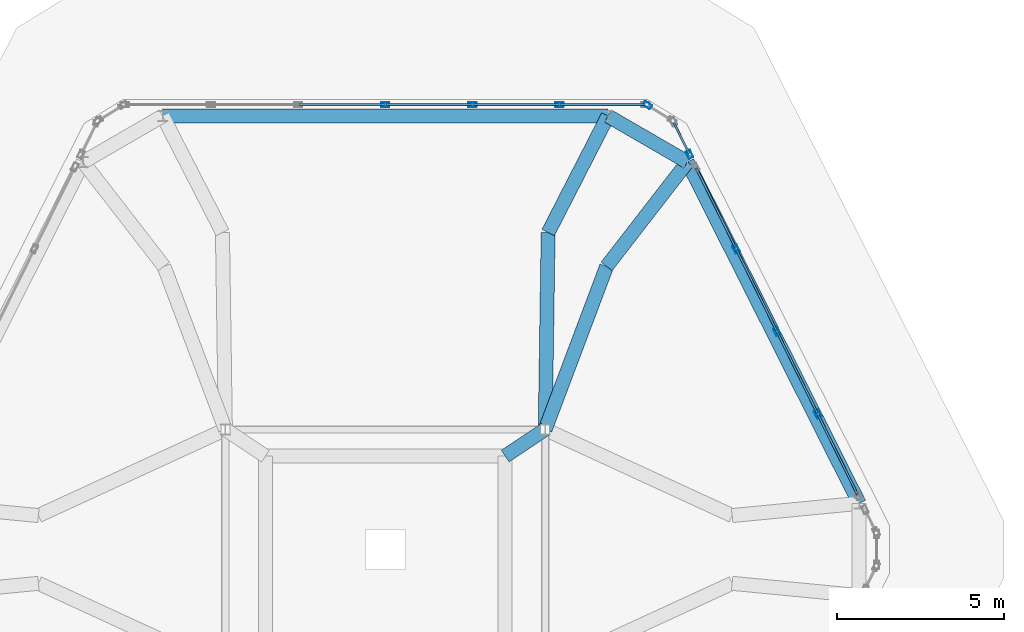
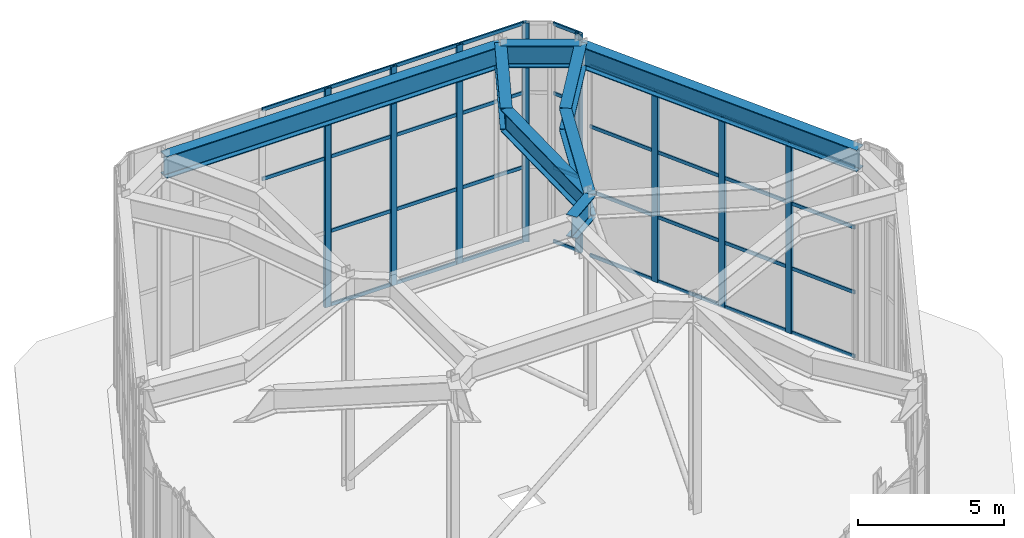
# One storey, part 6 of 10: 42 members, 8 beams, 4 elements without a shape of their own.
"""IFC4 building model written with IfcOpenShell, lengths in metres."""

from ifc_helpers import new_model, si_unit, direction, frame, origin, origin_2d, place, context, subcontext, project, spatial, hollow_rectangle, i_section, extrude, material, layer, layer_set, material_profile, profile_set, type_object, element, aggregate, save


model = new_model("IFC4")

# Units and contexts
model_context = context("Model", 3, precision=1e-05, world=origin(), true_north=direction((0.0, 1.0)))
body_context = subcontext(model_context, "Body", "Model", "MODEL_VIEW")
ifc_project = project(units=[si_unit("LENGTHUNIT", "METRE"), si_unit("AREAUNIT", "SQUARE_METRE"), si_unit("VOLUMEUNIT", "CUBIC_METRE"), si_unit("PLANEANGLEUNIT", "RADIAN"), si_unit("MASSUNIT", "GRAM", prefix="KILO")], contexts=[model_context])

# Site, building, storey
site_placement = place(None, origin())
site = spatial("IfcSite", under=ifc_project, at=site_placement, CompositionType="ELEMENT")
building_placement = place(site_placement, origin())
building = spatial("IfcBuilding", under=site, at=building_placement, Name="Cinnabar Lancet Tower", CompositionType="ELEMENT")
storey_placement = place(building_placement, frame((0.0, 0.0, 314.675048828125)))
storey = spatial("IfcBuildingStorey", under=building, at=storey_placement, Name="L81", CompositionType="ELEMENT", Elevation=314.675048828125)

# Curtain wall, members
ifc_material_1 = material(Name="Thermally broken bronze-anodized aluminium and low-E glass", Category="aluminium")
ifc_layer = layer(ifc_material_1, 0.179931640625)
ifc_layer_set = layer_set([ifc_layer], Name="Thermally broken bronze-anodized aluminium and low-E glass")
curtain_wall_type = type_object("IfcCurtainWallType", Name="ENV-CW-SYS-05", PredefinedType="NOTDEFINED", material=ifc_layer_set)
curtain_wall_1_placement = place(storey_placement, origin())
curtain_wall_1 = element("IfcCurtainWall", 1, at=curtain_wall_1_placement, inside=storey, type_object=curtain_wall_type, Name="L81 Faceted Lancet Crown Curtain Wall 9", PredefinedType="NOTDEFINED")
ifc_material_2 = material(Name="Anodized architectural aluminium 6063-T6", Category="aluminium")
ifc_material_profile_1 = material_profile(ifc_material_2, hollow_rectangle(XDim=0.14990234375, YDim=0.25, WallThickness=0.010009765625, InnerFilletRadius=0.0048828125, OuterFilletRadius=0.014892578125, at=origin_2d()), Name="RHS 250x150x10")
ifc_profile_set_1 = profile_set([ifc_material_profile_1], Name="Anodized architectural aluminium 6063-T6")
member_type_1 = type_object("IfcMemberType", Name="ENV-CW-MUL-260", PredefinedType="MULLION", material=ifc_profile_set_1)
member_1_placement = place(storey_placement, frame((45.379638671875, 29.866943359375, 0.0), z_axis=(0.0, 0.0, 1.0), x_axis=(-0.896551648599, -0.442939207335, 0.0)))
member_1 = element("IfcMember", 2, at=member_1_placement, type_object=member_type_1, Name="CW-05 mullion 2", PredefinedType="MULLION", context=body_context, shape_type="SweptSolid", body=[
    extrude(hollow_rectangle(XDim=0.14990234375, YDim=0.25, WallThickness=0.010009765625, InnerFilletRadius=0.0048828125, OuterFilletRadius=0.014892578125, at=origin_2d()), origin(), (0.0, 0.0, 1.0), 7.993896484375),
])
member_2_placement = place(storey_placement, frame((44.155517578125, 32.344970703125, 0.0), z_axis=(0.0, 0.0, 1.0), x_axis=(-0.896551648599, -0.442939207335, 0.0)))
member_2 = element("IfcMember", 3, at=member_2_placement, type_object=member_type_1, Name="CW-05 mullion 3", PredefinedType="MULLION", context=body_context, shape_type="SweptSolid", body=[
    extrude(hollow_rectangle(XDim=0.14990234375, YDim=0.25, WallThickness=0.010009765625, InnerFilletRadius=0.0048828125, OuterFilletRadius=0.014892578125, at=origin_2d()), origin(), (0.0, 0.0, 1.0), 7.993896484375),
])
member_3_placement = place(storey_placement, frame((42.93115234375, 34.822998046875, 0.0), z_axis=(0.0, 0.0, 1.0), x_axis=(-0.896551648599, -0.442939207335, 0.0)))
member_3 = element("IfcMember", 4, at=member_3_placement, type_object=member_type_1, Name="CW-05 mullion 4", PredefinedType="MULLION", context=body_context, shape_type="SweptSolid", body=[
    extrude(hollow_rectangle(XDim=0.14990234375, YDim=0.25, WallThickness=0.010009765625, InnerFilletRadius=0.0048828125, OuterFilletRadius=0.014892578125, at=origin_2d()), origin(), (0.0, 0.0, 1.0), 7.993896484375),
])

# Curtain wall, member
curtain_wall_2_placement = place(storey_placement, origin())
curtain_wall_2 = element("IfcCurtainWall", 5, at=curtain_wall_2_placement, inside=storey, type_object=curtain_wall_type, Name="L81 Faceted Lancet Crown Curtain Wall 10", PredefinedType="NOTDEFINED")
member_4_placement = place(storey_placement, frame((41.53076171875, 37.658935546875, 0.0), z_axis=(0.0, 0.0, 1.0), x_axis=(-0.896342772424, -0.443361742062, 0.0)))
member_4 = element("IfcMember", 6, at=member_4_placement, type_object=member_type_1, Name="CW-05 mullion 1", PredefinedType="MULLION", context=body_context, shape_type="SweptSolid", body=[
    extrude(hollow_rectangle(XDim=0.14990234375, YDim=0.25, WallThickness=0.010009765625, InnerFilletRadius=0.0048828125, OuterFilletRadius=0.014892578125, at=origin_2d()), origin(), (0.0, 0.0, 1.0), 9.175048828125),
])

curtain_wall_3_placement = place(storey_placement, origin())
curtain_wall_3 = element("IfcCurtainWall", 7, at=curtain_wall_3_placement, inside=storey, type_object=curtain_wall_type, Name="L81 Faceted Lancet Crown Curtain Wall 11", PredefinedType="NOTDEFINED")
member_5_placement = place(storey_placement, frame((40.26953125, 39.13427734375, 0.0), z_axis=(0.0, 0.0, 1.0), x_axis=(-0.527975874925, -0.849259368802, 0.0)))
member_5 = element("IfcMember", 8, at=member_5_placement, type_object=member_type_1, Name="CW-05 mullion 2", PredefinedType="MULLION", context=body_context, shape_type="SweptSolid", body=[
    extrude(hollow_rectangle(XDim=0.14990234375, YDim=0.25, WallThickness=0.010009765625, InnerFilletRadius=0.0048828125, OuterFilletRadius=0.014892578125, at=origin_2d()), origin(), (0.0, 0.0, 1.0), 9.175048828125),
])
aggregate(curtain_wall_3, [member_5])

# Curtain wall, members
curtain_wall_4_placement = place(storey_placement, origin())
curtain_wall_4 = element("IfcCurtainWall", 9, at=curtain_wall_4_placement, inside=storey, type_object=curtain_wall_type, Name="L81 Faceted Lancet Crown Curtain Wall 12", PredefinedType="NOTDEFINED")
member_6_placement = place(storey_placement, frame((37.62939453125, 39.14990234375, 0.0), z_axis=(0.0, 0.0, 1.0), x_axis=(0.0, -1.0, 0.0)))
member_6 = element("IfcMember", 10, at=member_6_placement, type_object=member_type_1, Name="CW-05 mullion 2", PredefinedType="MULLION", context=body_context, shape_type="SweptSolid", body=[
    extrude(hollow_rectangle(XDim=0.14990234375, YDim=0.25, WallThickness=0.010009765625, InnerFilletRadius=0.0048828125, OuterFilletRadius=0.014892578125, at=origin_2d()), origin(), (0.0, 0.0, 1.0), 9.175048828125),
])
member_7_placement = place(storey_placement, frame((35.0146484375, 39.14990234375, 0.0), z_axis=(0.0, 0.0, 1.0), x_axis=(0.0, -1.0, 0.0)))
member_7 = element("IfcMember", 11, at=member_7_placement, type_object=member_type_1, Name="CW-05 mullion 3", PredefinedType="MULLION", context=body_context, shape_type="SweptSolid", body=[
    extrude(hollow_rectangle(XDim=0.14990234375, YDim=0.25, WallThickness=0.010009765625, InnerFilletRadius=0.0048828125, OuterFilletRadius=0.014892578125, at=origin_2d()), origin(), (0.0, 0.0, 1.0), 9.175048828125),
])
member_8_placement = place(storey_placement, frame((32.39990234375, 39.14990234375, 0.0), z_axis=(0.0, 0.0, 1.0), x_axis=(0.0, -1.0, 0.0)))
member_8 = element("IfcMember", 12, at=member_8_placement, type_object=member_type_1, Name="CW-05 mullion 4", PredefinedType="MULLION", context=body_context, shape_type="SweptSolid", body=[
    extrude(hollow_rectangle(XDim=0.14990234375, YDim=0.25, WallThickness=0.010009765625, InnerFilletRadius=0.0048828125, OuterFilletRadius=0.014892578125, at=origin_2d()), origin(), (0.0, 0.0, 1.0), 9.175048828125),
])

# Member
ifc_material_3 = material(Name="Anodized architectural aluminium 6063-T6", Category="aluminium")
ifc_material_profile_2 = material_profile(ifc_material_3, hollow_rectangle(XDim=0.06494140625, YDim=0.14990234375, WallThickness=0.00390625, InnerFilletRadius=0.001953125, OuterFilletRadius=0.006103515625, at=origin_2d()), Name="CW-TRN 150x65x4")
ifc_profile_set_2 = profile_set([ifc_material_profile_2], Name="Anodized architectural aluminium 6063-T6")
member_type_2 = type_object("IfcMemberType", Name="ENV-CW-TRN-160", PredefinedType="USERDEFINED", material=ifc_profile_set_2)
member_9_placement = place(storey_placement, frame((46.577392578125, 27.44287109375, 0.030029296875), z_axis=(-0.442935275525, 0.89655359109, 0.0), x_axis=(-0.89655359109, -0.442935275525, 0.0)))
member_9 = element("IfcMember", 13, at=member_9_placement, type_object=member_type_2, Name="CW-05 transom 1.1", ObjectType="TRANSOM", PredefinedType="USERDEFINED", context=body_context, shape_type="SweptSolid", body=[
    extrude(hollow_rectangle(XDim=0.06494140625, YDim=0.14990234375, WallThickness=0.00390625, InnerFilletRadius=0.001953125, OuterFilletRadius=0.006103515625, at=origin_2d()), origin(), (0.0, 0.0, 1.0), 2.673828125),
])

member_10_placement = place(storey_placement, frame((46.577392578125, 27.44287109375, 2.718017578125), z_axis=(-0.442935275525, 0.89655359109, 0.0), x_axis=(-0.89655359109, -0.442935275525, 0.0)))
member_10 = element("IfcMember", 14, at=member_10_placement, type_object=member_type_2, Name="CW-05 transom 1.2", ObjectType="TRANSOM", PredefinedType="USERDEFINED", context=body_context, shape_type="SweptSolid", body=[
    extrude(hollow_rectangle(XDim=0.06494140625, YDim=0.14990234375, WallThickness=0.00390625, InnerFilletRadius=0.001953125, OuterFilletRadius=0.006103515625, at=origin_2d()), origin(), (0.0, 0.0, 1.0), 2.673828125),
])

member_11_placement = place(storey_placement, frame((46.577392578125, 27.44287109375, 5.43603515625), z_axis=(-0.442935275525, 0.89655359109, 0.0), x_axis=(-0.89655359109, -0.442935275525, 0.0)))
member_11 = element("IfcMember", 15, at=member_11_placement, type_object=member_type_2, Name="CW-05 transom 1.3", ObjectType="TRANSOM", PredefinedType="USERDEFINED", context=body_context, shape_type="SweptSolid", body=[
    extrude(hollow_rectangle(XDim=0.06494140625, YDim=0.14990234375, WallThickness=0.00390625, InnerFilletRadius=0.001953125, OuterFilletRadius=0.006103515625, at=origin_2d()), origin(), (0.0, 0.0, 1.0), 2.673828125),
])

member_12_placement = place(storey_placement, frame((46.577392578125, 27.44287109375, 7.9638671875), z_axis=(-0.442935275525, 0.89655359109, 0.0), x_axis=(-0.89655359109, -0.442935275525, 0.0)))
member_12 = element("IfcMember", 16, at=member_12_placement, type_object=member_type_2, Name="CW-05 transom 1.4", ObjectType="TRANSOM", PredefinedType="USERDEFINED", context=body_context, shape_type="SweptSolid", body=[
    extrude(hollow_rectangle(XDim=0.06494140625, YDim=0.14990234375, WallThickness=0.00390625, InnerFilletRadius=0.001953125, OuterFilletRadius=0.006103515625, at=origin_2d()), origin(), (0.0, 0.0, 1.0), 2.673828125),
])

member_13_placement = place(storey_placement, frame((45.366455078125, 29.893798828125, 0.030029296875), z_axis=(-0.442946982999, 0.896547807009, 0.0), x_axis=(-0.896547807009, -0.442946982999, 0.0)))
member_13 = element("IfcMember", 17, at=member_13_placement, type_object=member_type_2, Name="CW-05 transom 2.1", ObjectType="TRANSOM", PredefinedType="USERDEFINED", context=body_context, shape_type="SweptSolid", body=[
    extrude(hollow_rectangle(XDim=0.06494140625, YDim=0.14990234375, WallThickness=0.00390625, InnerFilletRadius=0.001953125, OuterFilletRadius=0.006103515625, at=origin_2d()), origin(), (0.0, 0.0, 1.0), 2.7041015625),
])

member_14_placement = place(storey_placement, frame((45.366455078125, 29.893798828125, 2.718017578125), z_axis=(-0.442946982999, 0.896547807009, 0.0), x_axis=(-0.896547807009, -0.442946982999, 0.0)))
member_14 = element("IfcMember", 18, at=member_14_placement, type_object=member_type_2, Name="CW-05 transom 2.2", ObjectType="TRANSOM", PredefinedType="USERDEFINED", context=body_context, shape_type="SweptSolid", body=[
    extrude(hollow_rectangle(XDim=0.06494140625, YDim=0.14990234375, WallThickness=0.00390625, InnerFilletRadius=0.001953125, OuterFilletRadius=0.006103515625, at=origin_2d()), origin(), (0.0, 0.0, 1.0), 2.7041015625),
])

member_15_placement = place(storey_placement, frame((45.366455078125, 29.893798828125, 5.43603515625), z_axis=(-0.442946982999, 0.896547807009, 0.0), x_axis=(-0.896547807009, -0.442946982999, 0.0)))
member_15 = element("IfcMember", 19, at=member_15_placement, type_object=member_type_2, Name="CW-05 transom 2.3", ObjectType="TRANSOM", PredefinedType="USERDEFINED", context=body_context, shape_type="SweptSolid", body=[
    extrude(hollow_rectangle(XDim=0.06494140625, YDim=0.14990234375, WallThickness=0.00390625, InnerFilletRadius=0.001953125, OuterFilletRadius=0.006103515625, at=origin_2d()), origin(), (0.0, 0.0, 1.0), 2.7041015625),
])

member_16_placement = place(storey_placement, frame((45.366455078125, 29.893798828125, 7.9638671875), z_axis=(-0.442946982999, 0.896547807009, 0.0), x_axis=(-0.896547807009, -0.442946982999, 0.0)))
member_16 = element("IfcMember", 20, at=member_16_placement, type_object=member_type_2, Name="CW-05 transom 2.4", ObjectType="TRANSOM", PredefinedType="USERDEFINED", context=body_context, shape_type="SweptSolid", body=[
    extrude(hollow_rectangle(XDim=0.06494140625, YDim=0.14990234375, WallThickness=0.00390625, InnerFilletRadius=0.001953125, OuterFilletRadius=0.006103515625, at=origin_2d()), origin(), (0.0, 0.0, 1.0), 2.7041015625),
])

member_17_placement = place(storey_placement, frame((44.14208984375, 32.371826171875, 0.030029296875), z_axis=(-0.442874406309, 0.896583660478, 0.0), x_axis=(-0.896583660478, -0.442874406309, 0.0)))
member_17 = element("IfcMember", 21, at=member_17_placement, type_object=member_type_2, Name="CW-05 transom 3.1", ObjectType="TRANSOM", PredefinedType="USERDEFINED", context=body_context, shape_type="SweptSolid", body=[
    extrude(hollow_rectangle(XDim=0.06494140625, YDim=0.14990234375, WallThickness=0.00390625, InnerFilletRadius=0.001953125, OuterFilletRadius=0.006103515625, at=origin_2d()), origin(), (0.0, 0.0, 1.0), 2.703857421875),
])

member_18_placement = place(storey_placement, frame((44.14208984375, 32.371826171875, 2.718017578125), z_axis=(-0.442874406309, 0.896583660478, 0.0), x_axis=(-0.896583660478, -0.442874406309, 0.0)))
member_18 = element("IfcMember", 22, at=member_18_placement, type_object=member_type_2, Name="CW-05 transom 3.2", ObjectType="TRANSOM", PredefinedType="USERDEFINED", context=body_context, shape_type="SweptSolid", body=[
    extrude(hollow_rectangle(XDim=0.06494140625, YDim=0.14990234375, WallThickness=0.00390625, InnerFilletRadius=0.001953125, OuterFilletRadius=0.006103515625, at=origin_2d()), origin(), (0.0, 0.0, 1.0), 2.703857421875),
])

member_19_placement = place(storey_placement, frame((44.14208984375, 32.371826171875, 5.43603515625), z_axis=(-0.442874406309, 0.896583660478, 0.0), x_axis=(-0.896583660478, -0.442874406309, 0.0)))
member_19 = element("IfcMember", 23, at=member_19_placement, type_object=member_type_2, Name="CW-05 transom 3.3", ObjectType="TRANSOM", PredefinedType="USERDEFINED", context=body_context, shape_type="SweptSolid", body=[
    extrude(hollow_rectangle(XDim=0.06494140625, YDim=0.14990234375, WallThickness=0.00390625, InnerFilletRadius=0.001953125, OuterFilletRadius=0.006103515625, at=origin_2d()), origin(), (0.0, 0.0, 1.0), 2.703857421875),
])

member_20_placement = place(storey_placement, frame((44.14208984375, 32.371826171875, 7.9638671875), z_axis=(-0.442874406309, 0.896583660478, 0.0), x_axis=(-0.896583660478, -0.442874406309, 0.0)))
member_20 = element("IfcMember", 24, at=member_20_placement, type_object=member_type_2, Name="CW-05 transom 3.4", ObjectType="TRANSOM", PredefinedType="USERDEFINED", context=body_context, shape_type="SweptSolid", body=[
    extrude(hollow_rectangle(XDim=0.06494140625, YDim=0.14990234375, WallThickness=0.00390625, InnerFilletRadius=0.001953125, OuterFilletRadius=0.006103515625, at=origin_2d()), origin(), (0.0, 0.0, 1.0), 2.703857421875),
])

member_21_placement = place(storey_placement, frame((42.91796875, 34.849853515625, 0.030029296875), z_axis=(-0.442899018321, 0.896571502765, 0.0), x_axis=(-0.896571502765, -0.442899018321, 0.0)))
member_21 = element("IfcMember", 25, at=member_21_placement, type_object=member_type_2, Name="CW-05 transom 4.1", ObjectType="TRANSOM", PredefinedType="USERDEFINED", context=body_context, shape_type="SweptSolid", body=[
    extrude(hollow_rectangle(XDim=0.06494140625, YDim=0.14990234375, WallThickness=0.00390625, InnerFilletRadius=0.001953125, OuterFilletRadius=0.006103515625, at=origin_2d()), origin(), (0.0, 0.0, 1.0), 2.674072265625),
])

member_22_placement = place(storey_placement, frame((42.91796875, 34.849853515625, 2.718017578125), z_axis=(-0.442899018321, 0.896571502765, 0.0), x_axis=(-0.896571502765, -0.442899018321, 0.0)))
member_22 = element("IfcMember", 26, at=member_22_placement, type_object=member_type_2, Name="CW-05 transom 4.2", ObjectType="TRANSOM", PredefinedType="USERDEFINED", context=body_context, shape_type="SweptSolid", body=[
    extrude(hollow_rectangle(XDim=0.06494140625, YDim=0.14990234375, WallThickness=0.00390625, InnerFilletRadius=0.001953125, OuterFilletRadius=0.006103515625, at=origin_2d()), origin(), (0.0, 0.0, 1.0), 2.674072265625),
])

member_23_placement = place(storey_placement, frame((42.91796875, 34.849853515625, 5.43603515625), z_axis=(-0.442899018321, 0.896571502765, 0.0), x_axis=(-0.896571502765, -0.442899018321, 0.0)))
member_23 = element("IfcMember", 27, at=member_23_placement, type_object=member_type_2, Name="CW-05 transom 4.3", ObjectType="TRANSOM", PredefinedType="USERDEFINED", context=body_context, shape_type="SweptSolid", body=[
    extrude(hollow_rectangle(XDim=0.06494140625, YDim=0.14990234375, WallThickness=0.00390625, InnerFilletRadius=0.001953125, OuterFilletRadius=0.006103515625, at=origin_2d()), origin(), (0.0, 0.0, 1.0), 2.674072265625),
])

member_24_placement = place(storey_placement, frame((42.91796875, 34.849853515625, 7.9638671875), z_axis=(-0.442899018321, 0.896571502765, 0.0), x_axis=(-0.896571502765, -0.442899018321, 0.0)))
member_24 = element("IfcMember", 28, at=member_24_placement, type_object=member_type_2, Name="CW-05 transom 4.4", ObjectType="TRANSOM", PredefinedType="USERDEFINED", context=body_context, shape_type="SweptSolid", body=[
    extrude(hollow_rectangle(XDim=0.06494140625, YDim=0.14990234375, WallThickness=0.00390625, InnerFilletRadius=0.001953125, OuterFilletRadius=0.006103515625, at=origin_2d()), origin(), (0.0, 0.0, 1.0), 2.674072265625),
])

aggregate(curtain_wall_1, [member_1, member_2, member_3, member_9, member_10, member_11, member_12, member_13, member_14, member_15, member_16, member_17, member_18, member_19, member_20, member_21, member_22, member_23, member_24])

member_25_placement = place(storey_placement, frame((41.517333984375, 37.685791015625, 0.030029296875), z_axis=(-0.443201685678, 0.896421923991, 0.0), x_axis=(-0.896421923991, -0.443201685678, 0.0)))
member_25 = element("IfcMember", 29, at=member_25_placement, type_object=member_type_2, Name="CW-05 transom 1.1", ObjectType="TRANSOM", PredefinedType="USERDEFINED", context=body_context, shape_type="SweptSolid", body=[
    extrude(hollow_rectangle(XDim=0.06494140625, YDim=0.14990234375, WallThickness=0.00390625, InnerFilletRadius=0.001953125, OuterFilletRadius=0.006103515625, at=origin_2d()), origin(), (0.0, 0.0, 1.0), 1.0234375),
])

member_26_placement = place(storey_placement, frame((41.517333984375, 37.685791015625, 3.119873046875), z_axis=(-0.443201685678, 0.896421923991, 0.0), x_axis=(-0.896421923991, -0.443201685678, 0.0)))
member_26 = element("IfcMember", 30, at=member_26_placement, type_object=member_type_2, Name="CW-05 transom 1.2", ObjectType="TRANSOM", PredefinedType="USERDEFINED", context=body_context, shape_type="SweptSolid", body=[
    extrude(hollow_rectangle(XDim=0.06494140625, YDim=0.14990234375, WallThickness=0.00390625, InnerFilletRadius=0.001953125, OuterFilletRadius=0.006103515625, at=origin_2d()), origin(), (0.0, 0.0, 1.0), 1.0234375),
])

member_27_placement = place(storey_placement, frame((41.517333984375, 37.685791015625, 6.239013671875), z_axis=(-0.443201685678, 0.896421923991, 0.0), x_axis=(-0.896421923991, -0.443201685678, 0.0)))
member_27 = element("IfcMember", 31, at=member_27_placement, type_object=member_type_2, Name="CW-05 transom 1.3", ObjectType="TRANSOM", PredefinedType="USERDEFINED", context=body_context, shape_type="SweptSolid", body=[
    extrude(hollow_rectangle(XDim=0.06494140625, YDim=0.14990234375, WallThickness=0.00390625, InnerFilletRadius=0.001953125, OuterFilletRadius=0.006103515625, at=origin_2d()), origin(), (0.0, 0.0, 1.0), 1.0234375),
])

member_28_placement = place(storey_placement, frame((41.517333984375, 37.685791015625, 9.14501953125), z_axis=(-0.443201685678, 0.896421923991, 0.0), x_axis=(-0.896421923991, -0.443201685678, 0.0)))
member_28 = element("IfcMember", 32, at=member_28_placement, type_object=member_type_2, Name="CW-05 transom 1.4", ObjectType="TRANSOM", PredefinedType="USERDEFINED", context=body_context, shape_type="SweptSolid", body=[
    extrude(hollow_rectangle(XDim=0.06494140625, YDim=0.14990234375, WallThickness=0.00390625, InnerFilletRadius=0.001953125, OuterFilletRadius=0.006103515625, at=origin_2d()), origin(), (0.0, 0.0, 1.0), 1.0234375),
])

aggregate(curtain_wall_2, [member_4, member_25, member_26, member_27, member_28])

member_29_placement = place(storey_placement, frame((40.18408203125, 39.14990234375, 0.030029296875), z_axis=(-1.0, 0.0, 0.0), x_axis=(0.0, -1.0, 0.0)))
member_29 = element("IfcMember", 33, at=member_29_placement, type_object=member_type_2, Name="CW-05 transom 1.1", ObjectType="TRANSOM", PredefinedType="USERDEFINED", context=body_context, shape_type="SweptSolid", body=[
    extrude(hollow_rectangle(XDim=0.06494140625, YDim=0.14990234375, WallThickness=0.00390625, InnerFilletRadius=0.001953125, OuterFilletRadius=0.006103515625, at=origin_2d()), origin(), (0.0, 0.0, 1.0), 2.524658203125),
])

member_30_placement = place(storey_placement, frame((40.18408203125, 39.14990234375, 3.119873046875), z_axis=(-1.0, 0.0, 0.0), x_axis=(0.0, -1.0, 0.0)))
member_30 = element("IfcMember", 34, at=member_30_placement, type_object=member_type_2, Name="CW-05 transom 1.2", ObjectType="TRANSOM", PredefinedType="USERDEFINED", context=body_context, shape_type="SweptSolid", body=[
    extrude(hollow_rectangle(XDim=0.06494140625, YDim=0.14990234375, WallThickness=0.00390625, InnerFilletRadius=0.001953125, OuterFilletRadius=0.006103515625, at=origin_2d()), origin(), (0.0, 0.0, 1.0), 2.524658203125),
])

member_31_placement = place(storey_placement, frame((40.18408203125, 39.14990234375, 6.239013671875), z_axis=(-1.0, 0.0, 0.0), x_axis=(0.0, -1.0, 0.0)))
member_31 = element("IfcMember", 35, at=member_31_placement, type_object=member_type_2, Name="CW-05 transom 1.3", ObjectType="TRANSOM", PredefinedType="USERDEFINED", context=body_context, shape_type="SweptSolid", body=[
    extrude(hollow_rectangle(XDim=0.06494140625, YDim=0.14990234375, WallThickness=0.00390625, InnerFilletRadius=0.001953125, OuterFilletRadius=0.006103515625, at=origin_2d()), origin(), (0.0, 0.0, 1.0), 2.524658203125),
])

member_32_placement = place(storey_placement, frame((40.18408203125, 39.14990234375, 9.14501953125), z_axis=(-1.0, 0.0, 0.0), x_axis=(0.0, -1.0, 0.0)))
member_32 = element("IfcMember", 36, at=member_32_placement, type_object=member_type_2, Name="CW-05 transom 1.4", ObjectType="TRANSOM", PredefinedType="USERDEFINED", context=body_context, shape_type="SweptSolid", body=[
    extrude(hollow_rectangle(XDim=0.06494140625, YDim=0.14990234375, WallThickness=0.00390625, InnerFilletRadius=0.001953125, OuterFilletRadius=0.006103515625, at=origin_2d()), origin(), (0.0, 0.0, 1.0), 2.524658203125),
])

member_33_placement = place(storey_placement, frame((37.599365234375, 39.14990234375, 0.030029296875), z_axis=(-1.0, 0.0, 0.0), x_axis=(0.0, -1.0, 0.0)))
member_33 = element("IfcMember", 37, at=member_33_placement, type_object=member_type_2, Name="CW-05 transom 2.1", ObjectType="TRANSOM", PredefinedType="USERDEFINED", context=body_context, shape_type="SweptSolid", body=[
    extrude(hollow_rectangle(XDim=0.06494140625, YDim=0.14990234375, WallThickness=0.00390625, InnerFilletRadius=0.001953125, OuterFilletRadius=0.006103515625, at=origin_2d()), origin(), (0.0, 0.0, 1.0), 2.5546875),
])

member_34_placement = place(storey_placement, frame((37.599365234375, 39.14990234375, 3.119873046875), z_axis=(-1.0, 0.0, 0.0), x_axis=(0.0, -1.0, 0.0)))
member_34 = element("IfcMember", 38, at=member_34_placement, type_object=member_type_2, Name="CW-05 transom 2.2", ObjectType="TRANSOM", PredefinedType="USERDEFINED", context=body_context, shape_type="SweptSolid", body=[
    extrude(hollow_rectangle(XDim=0.06494140625, YDim=0.14990234375, WallThickness=0.00390625, InnerFilletRadius=0.001953125, OuterFilletRadius=0.006103515625, at=origin_2d()), origin(), (0.0, 0.0, 1.0), 2.5546875),
])

member_35_placement = place(storey_placement, frame((37.599365234375, 39.14990234375, 6.239013671875), z_axis=(-1.0, 0.0, 0.0), x_axis=(0.0, -1.0, 0.0)))
member_35 = element("IfcMember", 39, at=member_35_placement, type_object=member_type_2, Name="CW-05 transom 2.3", ObjectType="TRANSOM", PredefinedType="USERDEFINED", context=body_context, shape_type="SweptSolid", body=[
    extrude(hollow_rectangle(XDim=0.06494140625, YDim=0.14990234375, WallThickness=0.00390625, InnerFilletRadius=0.001953125, OuterFilletRadius=0.006103515625, at=origin_2d()), origin(), (0.0, 0.0, 1.0), 2.5546875),
])

member_36_placement = place(storey_placement, frame((37.599365234375, 39.14990234375, 9.14501953125), z_axis=(-1.0, 0.0, 0.0), x_axis=(0.0, -1.0, 0.0)))
member_36 = element("IfcMember", 40, at=member_36_placement, type_object=member_type_2, Name="CW-05 transom 2.4", ObjectType="TRANSOM", PredefinedType="USERDEFINED", context=body_context, shape_type="SweptSolid", body=[
    extrude(hollow_rectangle(XDim=0.06494140625, YDim=0.14990234375, WallThickness=0.00390625, InnerFilletRadius=0.001953125, OuterFilletRadius=0.006103515625, at=origin_2d()), origin(), (0.0, 0.0, 1.0), 2.5546875),
])

member_37_placement = place(storey_placement, frame((34.984619140625, 39.14990234375, 0.030029296875), z_axis=(-1.0, 0.0, 0.0), x_axis=(0.0, -1.0, 0.0)))
member_37 = element("IfcMember", 41, at=member_37_placement, type_object=member_type_2, Name="CW-05 transom 3.1", ObjectType="TRANSOM", PredefinedType="USERDEFINED", context=body_context, shape_type="SweptSolid", body=[
    extrude(hollow_rectangle(XDim=0.06494140625, YDim=0.14990234375, WallThickness=0.00390625, InnerFilletRadius=0.001953125, OuterFilletRadius=0.006103515625, at=origin_2d()), origin(), (0.0, 0.0, 1.0), 2.5546875),
])

member_38_placement = place(storey_placement, frame((34.984619140625, 39.14990234375, 3.119873046875), z_axis=(-1.0, 0.0, 0.0), x_axis=(0.0, -1.0, 0.0)))
member_38 = element("IfcMember", 42, at=member_38_placement, type_object=member_type_2, Name="CW-05 transom 3.2", ObjectType="TRANSOM", PredefinedType="USERDEFINED", context=body_context, shape_type="SweptSolid", body=[
    extrude(hollow_rectangle(XDim=0.06494140625, YDim=0.14990234375, WallThickness=0.00390625, InnerFilletRadius=0.001953125, OuterFilletRadius=0.006103515625, at=origin_2d()), origin(), (0.0, 0.0, 1.0), 2.5546875),
])

member_39_placement = place(storey_placement, frame((34.984619140625, 39.14990234375, 6.239013671875), z_axis=(-1.0, 0.0, 0.0), x_axis=(0.0, -1.0, 0.0)))
member_39 = element("IfcMember", 43, at=member_39_placement, type_object=member_type_2, Name="CW-05 transom 3.3", ObjectType="TRANSOM", PredefinedType="USERDEFINED", context=body_context, shape_type="SweptSolid", body=[
    extrude(hollow_rectangle(XDim=0.06494140625, YDim=0.14990234375, WallThickness=0.00390625, InnerFilletRadius=0.001953125, OuterFilletRadius=0.006103515625, at=origin_2d()), origin(), (0.0, 0.0, 1.0), 2.5546875),
])

member_40_placement = place(storey_placement, frame((34.984619140625, 39.14990234375, 9.14501953125), z_axis=(-1.0, 0.0, 0.0), x_axis=(0.0, -1.0, 0.0)))
member_40 = element("IfcMember", 44, at=member_40_placement, type_object=member_type_2, Name="CW-05 transom 3.4", ObjectType="TRANSOM", PredefinedType="USERDEFINED", context=body_context, shape_type="SweptSolid", body=[
    extrude(hollow_rectangle(XDim=0.06494140625, YDim=0.14990234375, WallThickness=0.00390625, InnerFilletRadius=0.001953125, OuterFilletRadius=0.006103515625, at=origin_2d()), origin(), (0.0, 0.0, 1.0), 2.5546875),
])

member_41_placement = place(storey_placement, frame((32.3701171875, 39.14990234375, 6.239013671875), z_axis=(-1.0, 0.0, 0.0), x_axis=(0.0, -1.0, 0.0)))
member_41 = element("IfcMember", 45, at=member_41_placement, type_object=member_type_2, Name="CW-05 transom 4.3", ObjectType="TRANSOM", PredefinedType="USERDEFINED", context=body_context, shape_type="SweptSolid", body=[
    extrude(hollow_rectangle(XDim=0.06494140625, YDim=0.14990234375, WallThickness=0.00390625, InnerFilletRadius=0.001953125, OuterFilletRadius=0.006103515625, at=origin_2d()), origin(), (0.0, 0.0, 1.0), 2.5546875),
])

member_42_placement = place(storey_placement, frame((32.3701171875, 39.14990234375, 9.14501953125), z_axis=(-1.0, 0.0, 0.0), x_axis=(0.0, -1.0, 0.0)))
member_42 = element("IfcMember", 46, at=member_42_placement, type_object=member_type_2, Name="CW-05 transom 4.4", ObjectType="TRANSOM", PredefinedType="USERDEFINED", context=body_context, shape_type="SweptSolid", body=[
    extrude(hollow_rectangle(XDim=0.06494140625, YDim=0.14990234375, WallThickness=0.00390625, InnerFilletRadius=0.001953125, OuterFilletRadius=0.006103515625, at=origin_2d()), origin(), (0.0, 0.0, 1.0), 2.5546875),
])

aggregate(curtain_wall_4, [member_6, member_7, member_8, member_29, member_30, member_31, member_32, member_33, member_34, member_35, member_36, member_37, member_38, member_39, member_40, member_41, member_42])

# Beams
ifc_material_4 = material(Name="Structural steel S460", Category="steel")
ifc_material_profile_3 = material_profile(ifc_material_4, i_section(OverallWidth=0.42041015625, OverallDepth=0.9208984375, WebThickness=0.021484375, FlangeThickness=0.03662109375, FilletRadius=0.024169921875, at=origin_2d()), Name="UKB 914x419x388")
ifc_profile_set_3 = profile_set([ifc_material_profile_3], Name="Structural steel S460")
beam_type = type_object("IfcBeamType", Name="STR-BM-UKB914-388", PredefinedType="BEAM", material=ifc_profile_set_3)
beam_1_placement = place(storey_placement, frame((46.6259765625, 27.18505859375, 8.4638671875), z_axis=(-0.449689931848, 0.893184731841, 0.0), x_axis=(-0.893184731841, -0.449689931848, 0.0)))
element("IfcBeam", 47, at=beam_1_placement, inside=storey, type_object=beam_type, Name="L82 Setback Outer Ring Girder 5", PredefinedType="BEAM", context=body_context, shape_type="SweptSolid", body=[
    extrude(i_section(OverallWidth=0.42041015625, OverallDepth=0.9208984375, WebThickness=0.021484375, FlangeThickness=0.03662109375, FilletRadius=0.024169921875, at=origin_2d()), origin(), (0.0, 0.0, 1.0), 11.4677734375),
])
beam_2_placement = place(storey_placement, frame((41.468994140625, 37.427978515625, 8.4638671875), z_axis=(-0.865159484489, 0.501496825911, 0.0), x_axis=(-0.501496825911, -0.865159484489, 0.0)))
element("IfcBeam", 48, at=beam_2_placement, inside=storey, type_object=beam_type, Name="L82 Setback Outer Ring Girder 6", PredefinedType="BEAM", context=body_context, shape_type="SweptSolid", body=[
    extrude(i_section(OverallWidth=0.42041015625, OverallDepth=0.9208984375, WebThickness=0.021484375, FlangeThickness=0.03662109375, FilletRadius=0.024169921875, at=origin_2d()), origin(), (0.0, 0.0, 1.0), 2.7578125),
])
beam_3_placement = place(storey_placement, frame((39.0830078125, 38.81103515625, 8.4638671875), z_axis=(-1.0, 0.0, 0.0), x_axis=(0.0, -1.0, 0.0)))
element("IfcBeam", 49, at=beam_3_placement, inside=storey, type_object=beam_type, Name="L82 Setback Outer Ring Girder 7", PredefinedType="BEAM", context=body_context, shape_type="SweptSolid", body=[
    extrude(i_section(OverallWidth=0.42041015625, OverallDepth=0.9208984375, WebThickness=0.021484375, FlangeThickness=0.03662109375, FilletRadius=0.024169921875, at=origin_2d()), origin(), (0.0, 0.0, 1.0), 13.365966796875),
])
beam_4_placement = place(storey_placement, frame((41.468994140625, 37.427978515625, 8.4638671875), z_axis=(-0.612360855277, -0.79057838506, 0.0), x_axis=(0.79057838506, -0.612360855277, 0.0)))
element("IfcBeam", 50, at=beam_4_placement, inside=storey, type_object=beam_type, Name="L82 Crown Setback Strut Girder 6", PredefinedType="BEAM", context=body_context, shape_type="SweptSolid", body=[
    extrude(i_section(OverallWidth=0.42041015625, OverallDepth=0.9208984375, WebThickness=0.021484375, FlangeThickness=0.03662109375, FilletRadius=0.024169921875, at=origin_2d()), origin(), (0.0, 0.0, 1.0), 3.961669921875),
])
beam_5_placement = place(storey_placement, frame((39.04296875, 34.2958984375, 8.4638671875), z_axis=(-0.35229946294, -0.935887326772, 0.0), x_axis=(0.935887326772, -0.35229946294, 0.0)))
element("IfcBeam", 51, at=beam_5_placement, inside=storey, type_object=beam_type, Name="L82 Crown Setback Radial Girder 6", PredefinedType="BEAM", context=body_context, shape_type="SweptSolid", body=[
    extrude(i_section(OverallWidth=0.42041015625, OverallDepth=0.9208984375, WebThickness=0.021484375, FlangeThickness=0.03662109375, FilletRadius=0.024169921875, at=origin_2d()), origin(), (0.0, 0.0, 1.0), 5.2314453125),
])
beam_6_placement = place(storey_placement, frame((39.0830078125, 38.81103515625, 8.4638671875), z_axis=(-0.456326728428, -0.889812293083, 0.0), x_axis=(0.889812293083, -0.456326728428, 0.0)))
element("IfcBeam", 52, at=beam_6_placement, inside=storey, type_object=beam_type, Name="L82 Crown Setback Strut Girder 7", PredefinedType="BEAM", context=body_context, shape_type="SweptSolid", body=[
    extrude(i_section(OverallWidth=0.42041015625, OverallDepth=0.9208984375, WebThickness=0.021484375, FlangeThickness=0.03662109375, FilletRadius=0.024169921875, at=origin_2d()), origin(), (0.0, 0.0, 1.0), 3.933349609375),
])
beam_7_placement = place(storey_placement, frame((37.2880859375, 35.31103515625, 8.4638671875), z_axis=(-0.014908304984, -0.999888865046, 0.0), x_axis=(0.999888865046, -0.014908304984, 0.0)))
element("IfcBeam", 53, at=beam_7_placement, inside=storey, type_object=beam_type, Name="L82 Crown Setback Radial Girder 7", PredefinedType="BEAM", context=body_context, shape_type="SweptSolid", body=[
    extrude(i_section(OverallWidth=0.42041015625, OverallDepth=0.9208984375, WebThickness=0.021484375, FlangeThickness=0.03662109375, FilletRadius=0.024169921875, at=origin_2d()), origin(), (0.0, 0.0, 1.0), 5.911865234375),
])
beam_8_placement = place(storey_placement, frame((37.199951171875, 29.39990234375, 8.4638671875), z_axis=(-0.832102382531, -0.554622055986, 0.0), x_axis=(0.554622055986, -0.832102382531, 0.0)))
element("IfcBeam", 54, at=beam_8_placement, inside=storey, type_object=beam_type, Name="L82 Crown Inner Ring Transfer 3", PredefinedType="BEAM", context=body_context, shape_type="SweptSolid", body=[
    extrude(i_section(OverallWidth=0.42041015625, OverallDepth=0.9208984375, WebThickness=0.021484375, FlangeThickness=0.03662109375, FilletRadius=0.024169921875, at=origin_2d()), origin(), (0.0, 0.0, 1.0), 1.442138671875),
])

save(model, "model.ifc")
